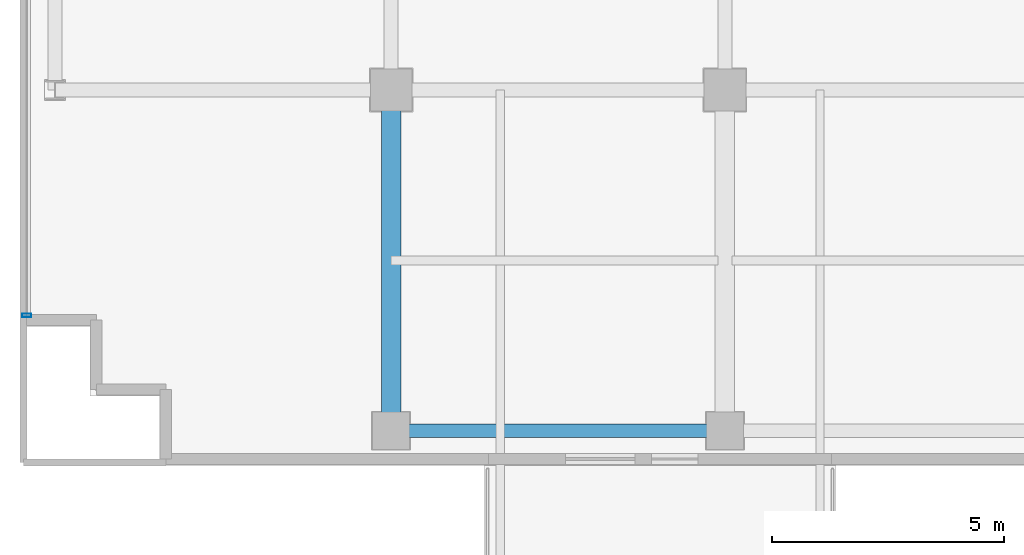
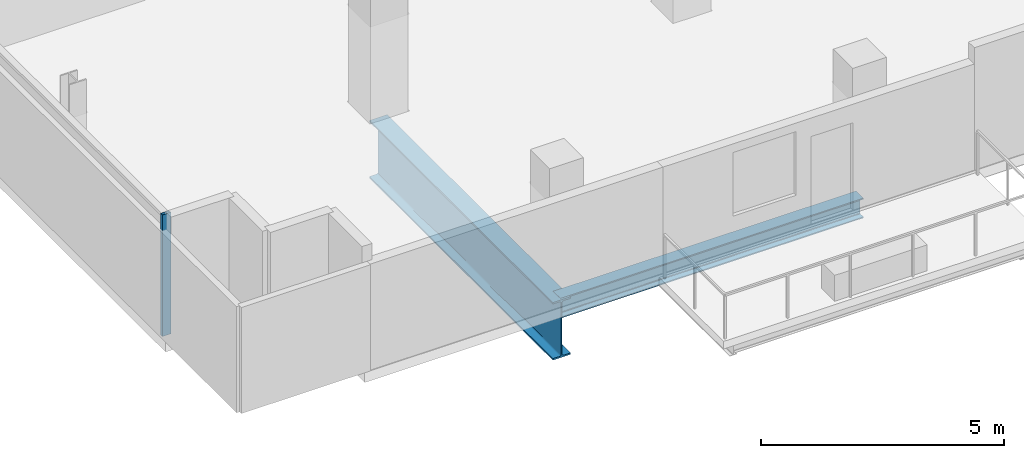
# One storey, part 2 of 27: 2 beams, 1 member, 1 element without a shape of its own.
"""IFC4 building model written with IfcOpenShell, lengths in metres."""

from ifc_helpers import new_model, si_unit, direction, frame, origin, origin_2d, place, context, subcontext, project, spatial, hollow_rectangle, i_section, extrude, source, transform, mapped, material, layer, layer_set, material_profile, profile_set, type_object, element, aggregate, save


model = new_model("IFC4")

# Units and contexts
model_context = context("Model", 3, precision=1e-05, world=origin(), true_north=direction((0.0, 1.0)))
body_context = subcontext(model_context, "Body", "Model", "MODEL_VIEW")
ifc_project = project(units=[si_unit("LENGTHUNIT", "METRE"), si_unit("AREAUNIT", "SQUARE_METRE"), si_unit("VOLUMEUNIT", "CUBIC_METRE"), si_unit("PLANEANGLEUNIT", "RADIAN"), si_unit("MASSUNIT", "GRAM", prefix="KILO")], contexts=[model_context])

# Site, building, storey
site_placement = place(None, origin())
site = spatial("IfcSite", under=ifc_project, at=site_placement, CompositionType="ELEMENT")
building_placement = place(site_placement, origin())
building = spatial("IfcBuilding", under=site, at=building_placement, Name="Zarnakvel Exchange Tower", CompositionType="ELEMENT")
storey_placement = place(building_placement, frame((0.0, 0.0, 86.800048828125)))
storey = spatial("IfcBuildingStorey", under=building, at=storey_placement, Name="L23", CompositionType="ELEMENT", Elevation=86.800048828125)

# Beams
ifc_material_1 = material(Name="Steel S355", Category="steel")
ifc_material_profile_1 = material_profile(ifc_material_1, i_section(OverallWidth=0.300048828125, OverallDepth=0.5, WebThickness=0.014404296875, FlangeThickness=0.028076171875, FilletRadius=0.027099609375, at=origin_2d()))
ifc_profile_set_1 = profile_set([ifc_material_profile_1], Name="Steel S355")
beam_type_1 = type_object("IfcBeamType", Name="SP-02", PredefinedType="SPANDREL", material=ifc_profile_set_1)
beam_1_placement = place(storey_placement, frame((-21.60009765625, -16.949951171875, -0.5), z_axis=(1.0, 0.0, 0.0), x_axis=(0.0, 1.0, 0.0)))
element("IfcBeam", 1, at=beam_1_placement, inside=storey, type_object=beam_type_1, Name="L23 Tower E-W Frame Beam", PredefinedType="SPANDREL", context=body_context, shape_type="SweptSolid", body=[
    extrude(i_section(OverallWidth=0.300048828125, OverallDepth=0.5, WebThickness=0.014404296875, FlangeThickness=0.028076171875, FilletRadius=0.027099609375, at=origin_2d()), origin(), (0.0, 0.0, 1.0), 7.2001953125),
])
ifc_material_2 = material(Name="Steel S460", Category="steel")
ifc_material_profile_2 = material_profile(ifc_material_2, i_section(OverallWidth=0.419921875, OverallDepth=1.449951171875, WebThickness=0.02392578125, FlangeThickness=0.0400390625, FilletRadius=0.030029296875, at=origin_2d()))
ifc_profile_set_2 = profile_set([ifc_material_profile_2], Name="Steel S460")
beam_type_2 = type_object("IfcBeamType", Name="TG-01", PredefinedType="BEAM", material=ifc_profile_set_2)
beam_2_placement = place(storey_placement, frame((-21.60009765625, -17.14990234375, -0.97509765625), z_axis=(0.0, 1.0, 0.0), x_axis=(-1.0, 0.0, 0.0)))
element("IfcBeam", 2, at=beam_2_placement, inside=storey, type_object=beam_type_2, Name="L23 Setback N-S Transfer Girder TS-3", PredefinedType="BEAM", context=body_context, shape_type="SweptSolid", body=[
    extrude(i_section(OverallWidth=0.419921875, OverallDepth=1.449951171875, WebThickness=0.02392578125, FlangeThickness=0.0400390625, FilletRadius=0.030029296875, at=origin_2d()), origin(), (0.0, 0.0, 1.0), 7.5498046875),
])

# Curtain wall, member
ifc_material_3 = material(Name="Architectural Bronze Anodised Aluminium", Category="aluminium")
ifc_layer = layer(ifc_material_3, 0.199951171875)
ifc_layer_set = layer_set([ifc_layer], Name="Architectural Bronze Anodised Aluminium")
curtain_wall_type = type_object("IfcCurtainWallType", Name="CW-04", PredefinedType="NOTDEFINED", material=ifc_layer_set)
curtain_wall_placement = place(storey_placement, origin())
curtain_wall = element("IfcCurtainWall", 3, at=curtain_wall_placement, inside=storey, type_object=curtain_wall_type, Name="L23 Curtain Wall CW-L23-W1 (CW-04)", PredefinedType="NOTDEFINED")
ifc_material_profile_3 = material_profile(ifc_material_3, hollow_rectangle(XDim=0.199951171875, YDim=0.074951171875, WallThickness=0.0048828125, at=origin_2d()))
ifc_profile_set_3 = profile_set([ifc_material_profile_3], Name="Architectural Bronze Anodised Aluminium")
member_type = type_object("IfcMemberType", Name="CWM-04", PredefinedType="MULLION", material=ifc_profile_set_3)
shared_shape = source(origin(), body_context, "Body", "SweptSolid", [
    extrude(hollow_rectangle(XDim=0.199951171875, YDim=0.074951171875, WallThickness=0.0048828125, at=origin_2d()), origin(), (0.0, 0.0, 1.0), 3.054931640625),
])
member_placement = place(storey_placement, frame((-29.4599609375, -14.46240234375, 0.0), z_axis=(0.0, 0.0, 1.0), x_axis=(-1.0, 0.0, 0.0)))
member = element("IfcMember", 4, at=member_placement, type_object=member_type, Name="CW-04 mullion 1", PredefinedType="MULLION", context=body_context, shape_type="MappedRepresentation", body=[
    mapped(shared_shape, transform((0.0, 0.0, 0.0), x_axis=(1.0, 0.0, 0.0), y_axis=(0.0, 1.0, 0.0), z_axis=(0.0, 0.0, 1.0), scale=1.0)),
])
aggregate(curtain_wall, [member])

save(model, "model.ifc")
